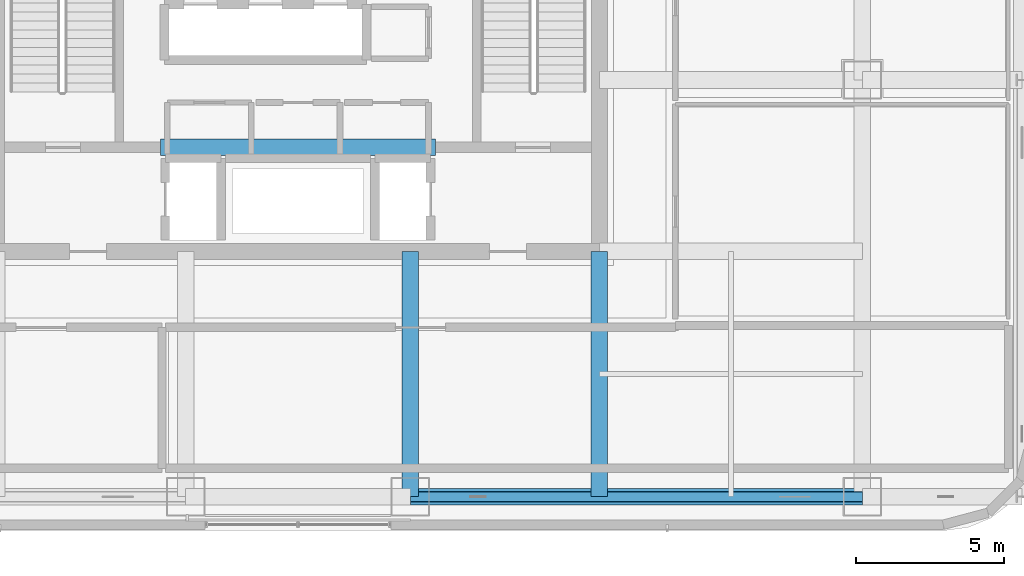
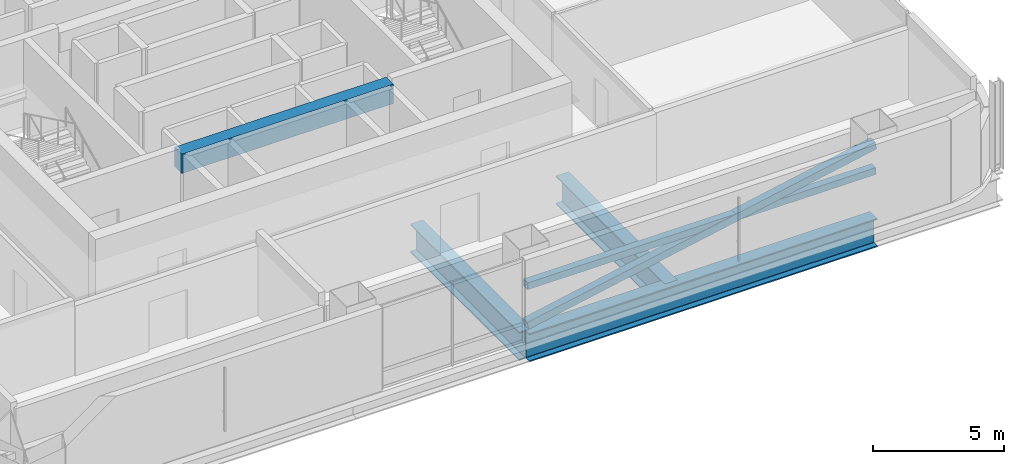
# One storey, part 4 of 30: 4 beams, 2 members.
"""IFC4 building model written with IfcOpenShell, lengths in metres."""

from ifc_helpers import new_model, si_unit, direction, frame, origin, origin_2d, place, context, subcontext, project, spatial, rectangle, hollow_rectangle, i_section, extrude, material, material_profile, profile_set, type_object, element, save


model = new_model("IFC4")

# Units and contexts
model_context = context("Model", 3, precision=1e-05, world=origin(), true_north=direction((0.0, 1.0)))
body_context = subcontext(model_context, "Body", "Model", "MODEL_VIEW")
ifc_project = project(units=[si_unit("LENGTHUNIT", "METRE"), si_unit("AREAUNIT", "SQUARE_METRE"), si_unit("VOLUMEUNIT", "CUBIC_METRE"), si_unit("PLANEANGLEUNIT", "RADIAN"), si_unit("MASSUNIT", "GRAM", prefix="KILO")], contexts=[model_context])

# Site, building, storey
site_placement = place(None, origin())
site = spatial("IfcSite", under=ifc_project, at=site_placement, CompositionType="ELEMENT")
building_placement = place(site_placement, origin())
building = spatial("IfcBuilding", under=site, at=building_placement, Name="Punatoya Terracotta Tower", CompositionType="ELEMENT")
storey_placement = place(building_placement, frame((0.0, 0.0, 251.39990234375)))
storey = spatial("IfcBuildingStorey", under=building, at=storey_placement, Name="L59", CompositionType="ELEMENT", Elevation=251.39990234375)

# Beams
ifc_material_1 = material(Name="Concrete C50/60", Category="concrete")
ifc_material_profile_1 = material_profile(ifc_material_1, rectangle(XDim=0.550048828125, YDim=0.89990234375, at=origin_2d()))
ifc_profile_set_1 = profile_set([ifc_material_profile_1], Name="Concrete C50/60")
beam_type_1 = type_object("IfcBeamType", Name="BM-RC-900", PredefinedType="LINTEL", material=ifc_profile_set_1)
beam_1_placement = place(storey_placement, frame((-4.64990234375, -5.679931640625, 3.400146484375), z_axis=(1.0, 0.0, 0.0), x_axis=(0.0, 1.0, 0.0)))
element("IfcBeam", 1, at=beam_1_placement, inside=storey, type_object=beam_type_1, Name="L59 Core Coupling Lintel CSW", PredefinedType="LINTEL", context=body_context, shape_type="SweptSolid", body=[
    extrude(rectangle(XDim=0.550048828125, YDim=0.89990234375, at=origin_2d()), origin(), (0.0, 0.0, 1.0), 9.2998046875),
])
ifc_material_2 = material(Name="Steel S460", Category="steel")
ifc_material_profile_2 = material_profile(ifc_material_2, i_section(OverallWidth=0.56005859375, OverallDepth=1.320068359375, WebThickness=0.035888671875, FlangeThickness=0.054931640625, FilletRadius=0.01806640625, at=origin_2d()))
ifc_profile_set_2 = profile_set([ifc_material_profile_2], Name="Steel S460")
beam_type_2 = type_object("IfcBeamType", Name="BM-TG-BLK", PredefinedType="BEAM", material=ifc_profile_set_2)
beam_2_placement = place(storey_placement, frame((3.800048828125, -17.5, -0.93994140625), z_axis=(1.0, 0.0, 0.0), x_axis=(0.0, 1.0, 0.0)))
element("IfcBeam", 2, at=beam_2_placement, inside=storey, type_object=beam_type_2, Name="BM-L59-RG-S3", PredefinedType="BEAM", context=body_context, shape_type="SweptSolid", body=[
    extrude(i_section(OverallWidth=0.56005859375, OverallDepth=1.320068359375, WebThickness=0.035888671875, FlangeThickness=0.054931640625, FilletRadius=0.01806640625, at=origin_2d()), origin(), (0.0, 0.0, 1.0), 15.300048828125),
])
for number, where, z_axis, x_axis, name in (
    (3, (3.800048828125, -17.5, -0.93994140625), (0.0, 1.0, 0.0), (-1.0, 0.0, 0.0), "BM-L59-PR-S3"),
    (4, (10.199951171875, -17.5, -0.93994140625), (0.0, 1.0, 0.0), (-1.0, 0.0, 0.0), "BM-L59-PR-S4"),
):
    element("IfcBeam", number, at=place(storey_placement, frame(where, z_axis=z_axis, x_axis=x_axis)), inside=storey, type_object=beam_type_2, Name=name, PredefinedType="BEAM", context=body_context, shape_type="SweptSolid", body=[
        extrude(i_section(OverallWidth=0.56005859375, OverallDepth=1.320068359375, WebThickness=0.035888671875, FlangeThickness=0.054931640625, FilletRadius=0.01806640625, at=origin_2d()), origin(), (0.0, 0.0, 1.0), 8.300048828125),
    ])

# Members
ifc_material_profile_3 = material_profile(ifc_material_2, hollow_rectangle(XDim=0.320068359375, YDim=0.320068359375, WallThickness=0.01806640625, at=origin_2d()))
ifc_profile_set_3 = profile_set([ifc_material_profile_3], Name="Steel S460")
member_type_1 = type_object("IfcMemberType", Name="MEM-CHD-320", PredefinedType="CHORD", material=ifc_profile_set_3)
member_1_placement = place(storey_placement, frame((3.800048828125, -17.5, 1.85009765625), z_axis=(1.0, 0.0, 0.0), x_axis=(0.0, 1.0, 0.0)))
element("IfcMember", 5, at=member_1_placement, inside=storey, type_object=member_type_1, Name="L59 Exoskeleton Belt Truss Tie Chord S3", PredefinedType="CHORD", context=body_context, shape_type="SweptSolid", body=[
    extrude(hollow_rectangle(XDim=0.320068359375, YDim=0.320068359375, WallThickness=0.01806640625, at=origin_2d()), origin(), (0.0, 0.0, 1.0), 15.300048828125),
])
ifc_material_profile_4 = material_profile(ifc_material_2, hollow_rectangle(XDim=0.35009765625, YDim=0.35009765625, WallThickness=0.01806640625, at=origin_2d()))
ifc_profile_set_4 = profile_set([ifc_material_profile_4], Name="Steel S460")
member_type_2 = type_object("IfcMemberType", Name="MEM-EXO-350", PredefinedType="BRACE", material=ifc_profile_set_4)
member_2_placement = place(storey_placement, frame((3.800048828125, -17.5, 0.02001953125), z_axis=(0.980948581988, 0.0, 0.194267546172), x_axis=(0.0, 1.0, 0.0)))
element("IfcMember", 6, at=member_2_placement, inside=storey, type_object=member_type_2, Name="L59 Exoskeleton Belt Brace S3", PredefinedType="BRACE", context=body_context, shape_type="SweptSolid", body=[
    extrude(hollow_rectangle(XDim=0.35009765625, YDim=0.35009765625, WallThickness=0.01806640625, at=origin_2d()), origin(), (0.0, 0.0, 1.0), 15.59716796875),
])

save(model, "model.ifc")
